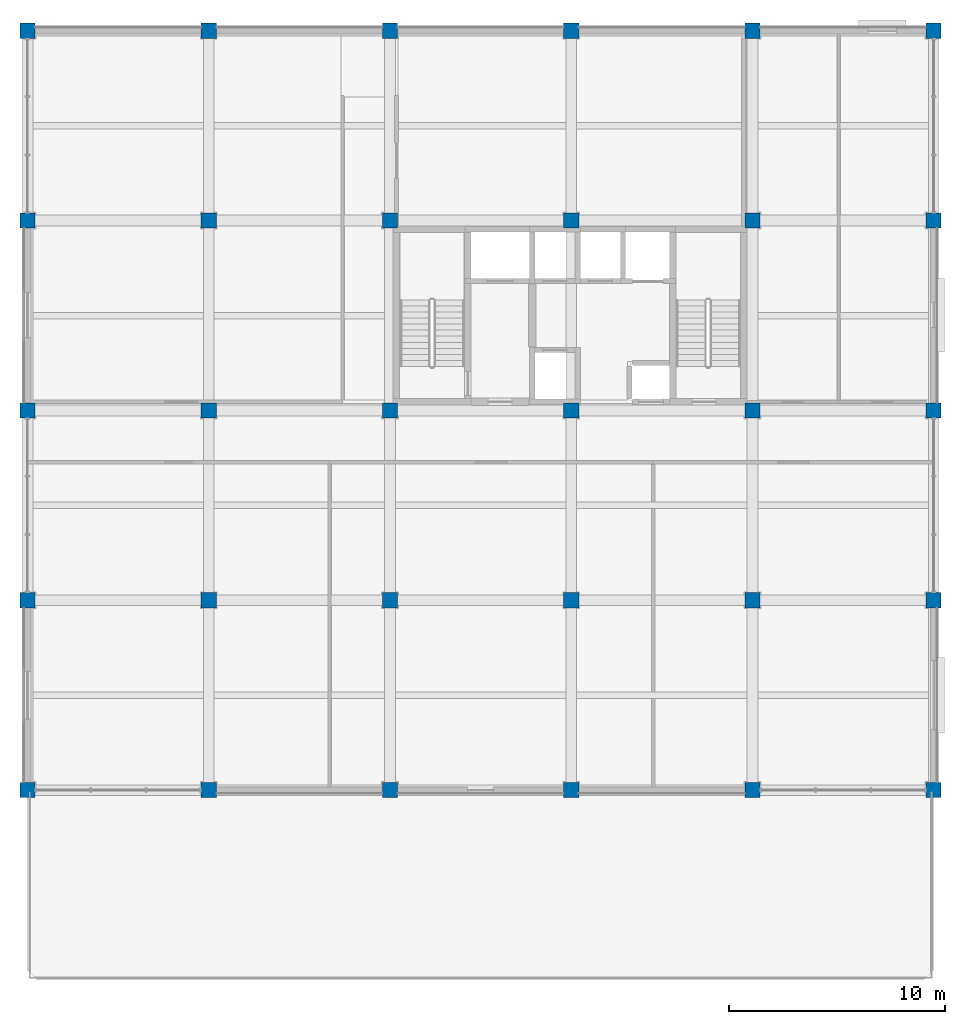
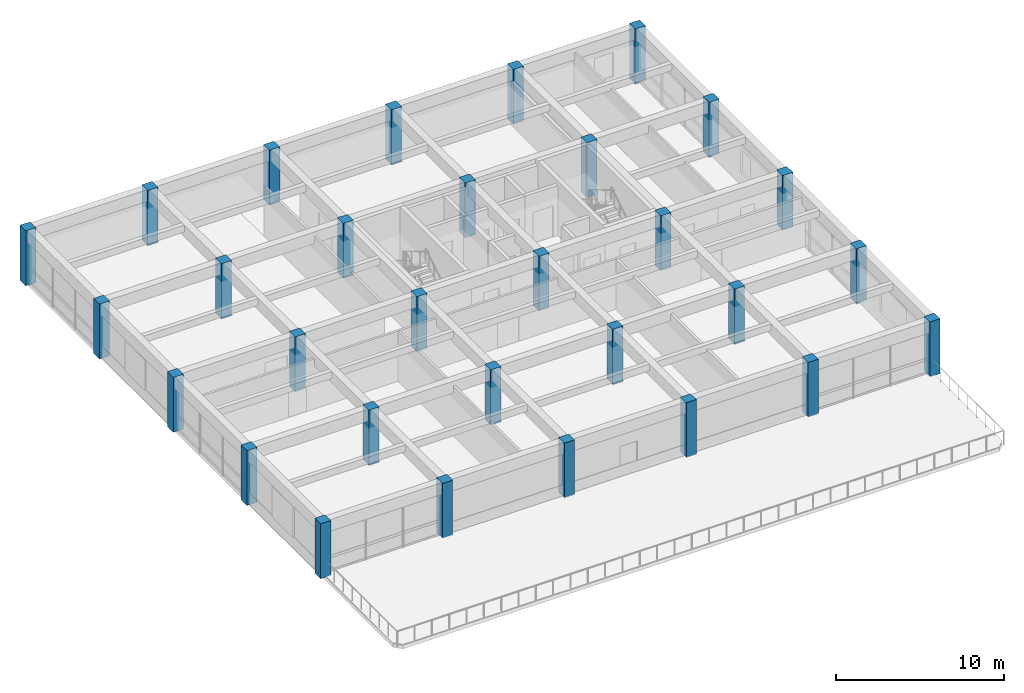
# One storey, part 1 of 8: 30 columns.
"""IFC4 building model written with IfcOpenShell, lengths in metres."""

from ifc_helpers import new_model, si_unit, direction, frame, origin, origin_2d, place, context, subcontext, project, spatial, rectangle, extrude, material, material_profile, profile_set, type_object, element, save


model = new_model("IFC4")

# Units and contexts
model_context = context("Model", 3, precision=1e-05, world=origin(), true_north=direction((0.0, 1.0)))
body_context = subcontext(model_context, "Body", "Model", "MODEL_VIEW")
ifc_project = project(units=[si_unit("LENGTHUNIT", "METRE"), si_unit("AREAUNIT", "SQUARE_METRE"), si_unit("VOLUMEUNIT", "CUBIC_METRE"), si_unit("PLANEANGLEUNIT", "RADIAN"), si_unit("MASSUNIT", "GRAM", prefix="KILO")], contexts=[model_context])

# Site, building, storey
site_placement = place(None, origin())
site = spatial("IfcSite", under=ifc_project, at=site_placement, CompositionType="ELEMENT")
building_placement = place(site_placement, origin())
building = spatial("IfcBuilding", under=site, at=building_placement, Name="Kemercrest Conservatory and Botanical Centre", CompositionType="ELEMENT")
storey_placement = place(building_placement, frame((0.0, 0.0, 24.800048828125)))
storey = spatial("IfcBuildingStorey", under=building, at=storey_placement, Name="L06", CompositionType="ELEMENT", Elevation=24.800048828125)

# Columns
ifc_material = material(Name="Concrete C50/60", Category="concrete")
ifc_material_profile = material_profile(ifc_material, rectangle(XDim=0.699951171875, YDim=0.699951171875, at=origin_2d()), Name="RC 700x700")
ifc_profile_set = profile_set([ifc_material_profile], Name="Concrete C50/60")
column_type = type_object("IfcColumnType", Name="C-RC70", PredefinedType="COLUMN", material=ifc_profile_set)
for number, where, z_axis, x_axis, name in (
    (1, (134.0, 87.199951171875, 0.0), (0.0, 0.0, 1.0), (1.0, 0.0, 0.0), "Tower column C-RC70 16/K"),
    (2, (134.0, 96.0, 0.0), (0.0, 0.0, 1.0), (1.0, 0.0, 0.0), "Tower column C-RC70 16/L"),
    (3, (134.0, 104.800048828125, 0.0), (0.0, 0.0, 1.0), (1.0, 0.0, 0.0), "Tower column C-RC70 16/M"),
    (4, (134.0, 113.60009765625, 0.0), (0.0, 0.0, 1.0), (1.0, 0.0, 0.0), "Tower column C-RC70 16/N"),
    (5, (134.0, 122.39990234375, 0.0), (0.0, 0.0, 1.0), (1.0, 0.0, 0.0), "Tower column C-RC70 16/P"),
    (6, (142.39990234375, 87.199951171875, 0.0), (0.0, 0.0, 1.0), (1.0, 0.0, 0.0), "Tower column C-RC70 17/K"),
    (7, (142.39990234375, 96.0, 0.0), (0.0, 0.0, 1.0), (1.0, 0.0, 0.0), "Tower column C-RC70 17/L"),
    (8, (142.39990234375, 104.800048828125, 0.0), (0.0, 0.0, 1.0), (1.0, 0.0, 0.0), "Tower column C-RC70 17/M"),
    (9, (142.39990234375, 113.60009765625, 0.0), (0.0, 0.0, 1.0), (1.0, 0.0, 0.0), "Tower column C-RC70 17/N"),
    (10, (142.39990234375, 122.39990234375, 0.0), (0.0, 0.0, 1.0), (1.0, 0.0, 0.0), "Tower column C-RC70 17/P"),
    (11, (150.800048828125, 87.199951171875, 0.0), (0.0, 0.0, 1.0), (1.0, 0.0, 0.0), "Tower column C-RC70 18/K"),
    (12, (150.800048828125, 96.0, 0.0), (0.0, 0.0, 1.0), (1.0, 0.0, 0.0), "Tower column C-RC70 18/L"),
    (13, (150.800048828125, 104.800048828125, 0.0), (0.0, 0.0, 1.0), (1.0, 0.0, 0.0), "Tower column C-RC70 18/M"),
    (14, (150.800048828125, 113.60009765625, 0.0), (0.0, 0.0, 1.0), (1.0, 0.0, 0.0), "Tower column C-RC70 18/N"),
    (15, (150.800048828125, 122.39990234375, 0.0), (0.0, 0.0, 1.0), (1.0, 0.0, 0.0), "Tower column C-RC70 18/P"),
    (16, (159.199951171875, 87.199951171875, 0.0), (0.0, 0.0, 1.0), (1.0, 0.0, 0.0), "Tower column C-RC70 19/K"),
    (17, (159.199951171875, 96.0, 0.0), (0.0, 0.0, 1.0), (1.0, 0.0, 0.0), "Tower column C-RC70 19/L"),
    (18, (159.199951171875, 104.800048828125, 0.0), (0.0, 0.0, 1.0), (1.0, 0.0, 0.0), "Tower column C-RC70 19/M"),
    (19, (159.199951171875, 113.60009765625, 0.0), (0.0, 0.0, 1.0), (1.0, 0.0, 0.0), "Tower column C-RC70 19/N"),
    (20, (159.199951171875, 122.39990234375, 0.0), (0.0, 0.0, 1.0), (1.0, 0.0, 0.0), "Tower column C-RC70 19/P"),
    (21, (167.60009765625, 87.199951171875, 0.0), (0.0, 0.0, 1.0), (1.0, 0.0, 0.0), "Tower column C-RC70 20/K"),
    (22, (167.60009765625, 96.0, 0.0), (0.0, 0.0, 1.0), (1.0, 0.0, 0.0), "Tower column C-RC70 20/L"),
    (23, (167.60009765625, 104.800048828125, 0.0), (0.0, 0.0, 1.0), (1.0, 0.0, 0.0), "Tower column C-RC70 20/M"),
    (24, (167.60009765625, 113.60009765625, 0.0), (0.0, 0.0, 1.0), (1.0, 0.0, 0.0), "Tower column C-RC70 20/N"),
    (25, (167.60009765625, 122.39990234375, 0.0), (0.0, 0.0, 1.0), (1.0, 0.0, 0.0), "Tower column C-RC70 20/P"),
    (26, (176.0, 87.199951171875, 0.0), (0.0, 0.0, 1.0), (1.0, 0.0, 0.0), "Tower column C-RC70 21/K"),
    (27, (176.0, 96.0, 0.0), (0.0, 0.0, 1.0), (1.0, 0.0, 0.0), "Tower column C-RC70 21/L"),
    (28, (176.0, 104.800048828125, 0.0), (0.0, 0.0, 1.0), (1.0, 0.0, 0.0), "Tower column C-RC70 21/M"),
    (29, (176.0, 113.60009765625, 0.0), (0.0, 0.0, 1.0), (1.0, 0.0, 0.0), "Tower column C-RC70 21/N"),
    (30, (176.0, 122.39990234375, 0.0), (0.0, 0.0, 1.0), (1.0, 0.0, 0.0), "Tower column C-RC70 21/P"),
):
    element("IfcColumn", number, at=place(storey_placement, frame(where, z_axis=z_axis, x_axis=x_axis)), inside=storey, type_object=column_type, Name=name, PredefinedType="COLUMN", context=body_context, shape_type="SweptSolid", body=[
        extrude(rectangle(XDim=0.699951171875, YDim=0.699951171875, at=origin_2d()), origin(), (0.0, 0.0, 1.0), 4.0),
    ])

save(model, "model.ifc")
